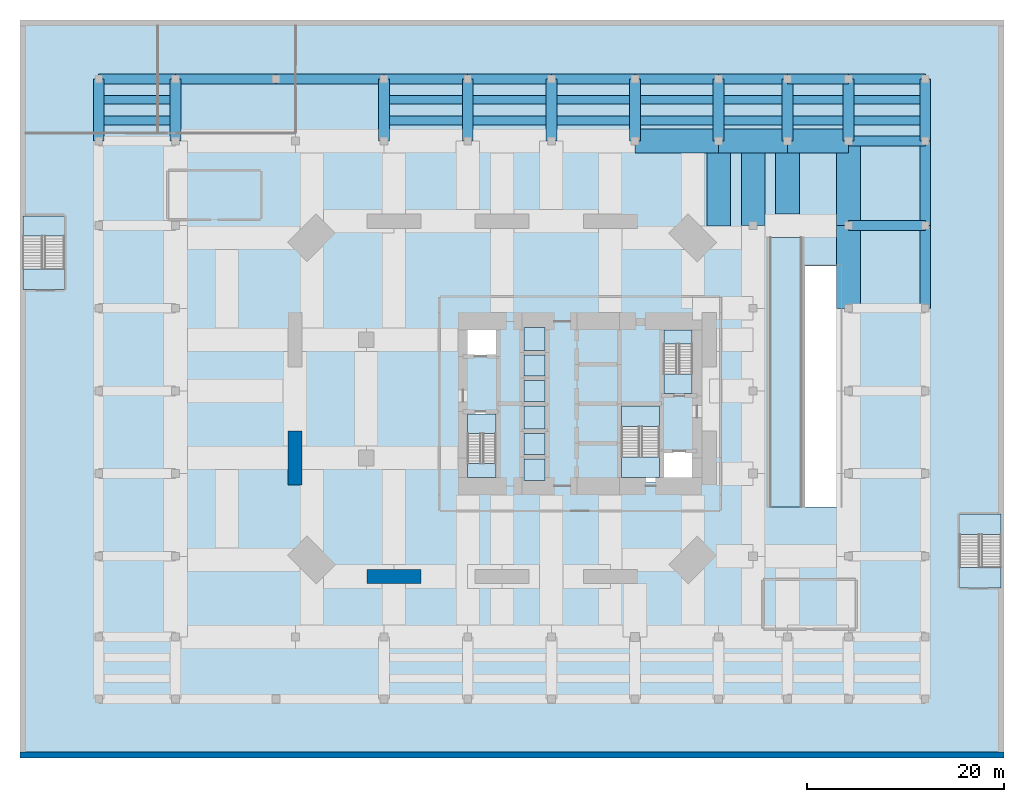
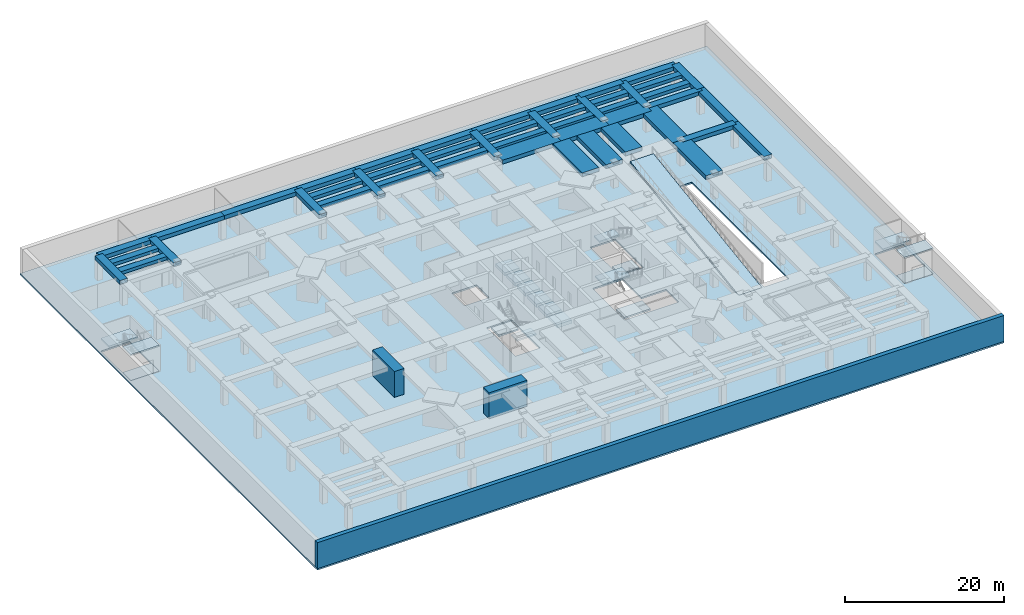
# One storey, part 3 of 10: 48 beams, 20 slabs, 3 walls, 5 elements without a shape of their own.
"""IFC4 building model written with IfcOpenShell, lengths in metres."""

import ifcopenshell
import ifcopenshell.guid

model = None  # the IFC model being written
_history = None  # IfcOwnerHistory: only IFC2X3 demands one
_inside = {}  # id of a spatial element -> (the spatial element, [elements in it])
_under = {}  # id of a project, library or spatial element -> (it, [spatial elements below it])
_declared = {}  # id of a project -> (the project, [libraries it declares])
_typed = {}  # id of a type object -> (the type object, [elements of that type])
_made_of = {}  # id of a material, layer set ... -> (it, [elements and type objects made of it])


def new_model(schema):
    """Start an empty IFC model of exactly this schema.

    Asked for "IFC4X3", IfcOpenShell would pick the latest addendum, in which some entities
    have other attributes; the version numbers below select the first issue.
    IFC2X3 requires an IfcOwnerHistory on every rooted entity: one is made here for all.
    """
    global model, _history
    if schema == "IFC4X3":
        model = ifcopenshell.file(schema_version=(4, 3, 0, 0))
    else:
        model = ifcopenshell.file(schema=schema)
    _inside.clear()
    _under.clear()
    _declared.clear()
    _typed.clear()
    _made_of.clear()
    _history = None
    if model.schema == "IFC2X3":
        org = make("IfcOrganization", Name="unknown")
        user = make(
            "IfcPersonAndOrganization",
            ThePerson=make("IfcPerson", FamilyName="unknown"),
            TheOrganization=org,
        )
        app = make(
            "IfcApplication",
            ApplicationDeveloper=org,
            Version="unknown",
            ApplicationFullName="unknown",
            ApplicationIdentifier="unknown",
        )
        _history = make(
            "IfcOwnerHistory",
            OwningUser=user,
            OwningApplication=app,
            ChangeAction="ADDED",
            CreationDate=0,
        )
    return model


def make(cls, **values):
    """One entity of the class cls with the attributes given. An attribute that is None is left unset."""
    return model.create_entity(
        cls, **{name: value for name, value in values.items() if value is not None}
    )


def rooted(cls, **values):
    """An entity with a GlobalId (a new one), such as an element, a storey or a relation."""
    return make(cls, GlobalId=ifcopenshell.guid.new(), OwnerHistory=_history, **values)


def si_unit(unit_type, name, prefix=None):
    """IfcSIUnit, for example si_unit("LENGTHUNIT", "METRE", prefix="MILLI")."""
    return make("IfcSIUnit", UnitType=unit_type, Prefix=prefix, Name=name)


def assignment(units):
    """IfcUnitAssignment: the units of a project."""
    return None if units is None else make("IfcUnitAssignment", Units=units)


def point(xyz):
    """IfcCartesianPoint."""
    return None if xyz is None else make("IfcCartesianPoint", Coordinates=xyz)


def direction(xyz):
    """IfcDirection."""
    return None if xyz is None else make("IfcDirection", DirectionRatios=xyz)


def frame(location, z_axis=None, x_axis=None):
    """IfcAxis2Placement3D, a coordinate frame: its origin and axes. An axis left out is left unset."""
    return make(
        "IfcAxis2Placement3D",
        Location=point(location),
        Axis=direction(z_axis),
        RefDirection=direction(x_axis),
    )


def frame_2d(location, x_axis=None):
    """IfcAxis2Placement2D, a coordinate frame in the plane: its origin and x axis."""
    return make(
        "IfcAxis2Placement2D", Location=point(location), RefDirection=direction(x_axis)
    )


def origin():
    """The frame at (0, 0, 0) with its axes left unset."""
    return frame((0.0, 0.0, 0.0))


def origin_2d():
    """The frame at (0, 0) in the plane with its x axis left unset."""
    return frame_2d((0.0, 0.0))


def place(relative_to, where):
    """IfcLocalPlacement: puts the frame where relative to a parent placement (None: the world)."""
    return make(
        "IfcLocalPlacement", PlacementRelTo=relative_to, RelativePlacement=where
    )


def context(
    kind, dimensions, precision=None, world=None, true_north=None, identifier=None
):
    """IfcGeometricRepresentationContext, for example the 3D "Model" context."""
    return make(
        "IfcGeometricRepresentationContext",
        ContextIdentifier=identifier,
        ContextType=kind,
        CoordinateSpaceDimension=dimensions,
        Precision=precision,
        WorldCoordinateSystem=world,
        TrueNorth=true_north,
    )


def subcontext(parent, identifier, kind, view, scale=None):
    """IfcGeometricRepresentationSubContext, for example "Body" below "Model"."""
    return make(
        "IfcGeometricRepresentationSubContext",
        ContextIdentifier=identifier,
        ContextType=kind,
        ParentContext=parent,
        TargetScale=scale,
        TargetView=view,
    )


def project(units=None, contexts=None):
    """IfcProject with its units and contexts."""
    return rooted(
        "IfcProject",
        Name="project",
        RepresentationContexts=contexts,
        UnitsInContext=assignment(units),
    )


def spatial(cls, under=None, at=None, **own):
    """A site, building, storey or space (cls), placed at a placement, below another one or the project."""
    s = rooted(cls, ObjectPlacement=at, **own)
    if under is not None:
        _under.setdefault(under.id(), (under, []))[1].append(s)
    return s


def polyline(points):
    """IfcPolyline through the points."""
    return make("IfcPolyline", Points=[point(p) for p in points])


def profile(cls, at=None, kind="AREA", **sizes):
    """A parametric profile (cls). Its sizes go by their IFC names, for example OverallWidth=200.0."""
    return make(cls, ProfileType=kind, Position=at, **sizes)


def rectangle(**sizes):
    """IfcRectangleProfileDef."""
    return profile("IfcRectangleProfileDef", **sizes)


def outline(outer, holes=None, kind="AREA"):
    """IfcArbitraryClosedProfileDef: a profile drawn as a closed curve; with holes, ...WithVoids."""
    if holes is None:
        return make("IfcArbitraryClosedProfileDef", ProfileType=kind, OuterCurve=outer)
    return make(
        "IfcArbitraryProfileDefWithVoids",
        ProfileType=kind,
        OuterCurve=outer,
        InnerCurves=holes,
    )


def extrude(swept, where, along, depth):
    """IfcExtrudedAreaSolid: the profile swept, set in the frame where, extruded along a direction by depth."""
    return make(
        "IfcExtrudedAreaSolid",
        SweptArea=swept,
        Position=where,
        ExtrudedDirection=direction(along),
        Depth=depth,
    )


def faces_of(points, faces, orient=None, outer=None):
    """IfcFace entities. A face is a list of loops; a loop is a list of indices into points, from 0.

    orient and outer hold one flag for each loop. By default every Orientation is true, the
    first loop of a face is its IfcFaceOuterBound and the others are IfcFaceBound.
    """
    made = []
    for i, loops in enumerate(faces):
        bounds = []
        for j, loop in enumerate(loops):
            is_outer = j == 0 if outer is None else outer[i][j]
            bounds.append(
                make(
                    "IfcFaceOuterBound" if is_outer else "IfcFaceBound",
                    Bound=make("IfcPolyLoop", Polygon=[points[k] for k in loop]),
                    Orientation=True if orient is None else orient[i][j],
                )
            )
        made.append(make("IfcFace", Bounds=bounds))
    return made


def faceted_brep(points, faces, orient=None, outer=None, voids=None):
    """IfcFacetedBrep: a solid bounded by flat faces; with voids (closed shells), ...WithVoids."""
    shared = [point(p) for p in points]
    hull = make("IfcClosedShell", CfsFaces=faces_of(shared, faces, orient, outer))
    if voids is None:
        return make("IfcFacetedBrep", Outer=hull)
    return make(
        "IfcFacetedBrepWithVoids",
        Outer=hull,
        Voids=[
            make(cls, CfsFaces=faces_of(shared, fs, o, b)) for cls, fs, o, b in voids
        ],
    )


def shape(context_of_items, identifier, shape_type, items):
    """IfcShapeRepresentation: the items that make up one representation, for example the "Body"."""
    return make(
        "IfcShapeRepresentation",
        ContextOfItems=context_of_items,
        RepresentationIdentifier=identifier,
        RepresentationType=shape_type,
        Items=items,
    )


def material(Name=None, Category=None):
    """IfcMaterial."""
    return make("IfcMaterial", Name=Name, Category=Category)


def layer(
    of_material, thickness, ventilated=None, Name=None, Category=None, Priority=None
):
    """IfcMaterialLayer: one layer of a wall or slab, of a material (None: an air gap)."""
    return make(
        "IfcMaterialLayer",
        Material=of_material,
        LayerThickness=thickness,
        IsVentilated=ventilated,
        Name=Name,
        Category=Category,
        Priority=Priority,
    )


def layer_set(layers, Name=None):
    """IfcMaterialLayerSet."""
    return make("IfcMaterialLayerSet", MaterialLayers=layers, LayerSetName=Name)


def material_profile(
    of_material, cross_section, Name=None, Category=None, Priority=None
):
    """IfcMaterialProfile: a cross section and its material."""
    return make(
        "IfcMaterialProfile",
        Name=Name,
        Material=of_material,
        Profile=cross_section,
        Priority=Priority,
        Category=Category,
    )


def profile_set(profiles, Name=None, composite=None):
    """IfcMaterialProfileSet."""
    return make(
        "IfcMaterialProfileSet",
        Name=Name,
        MaterialProfiles=profiles,
        CompositeProfile=composite,
    )


def made_of(thing, what):
    """Note that an element or type object is made of a material, layer set ...; save() writes the relation."""
    if what is not None:
        _made_of.setdefault(what.id(), (what, []))[1].append(thing)
    return thing


def type_object(cls, material=None, **own):
    """A type object (cls), such as IfcWallType, which elements share."""
    return made_of(rooted(cls, **own), material)


def element(
    cls,
    number,
    at=None,
    inside=None,
    cuts=None,
    type_object=None,
    material=None,
    context=None,
    identifier="Body",
    shape_type=None,
    held_by="IfcProductDefinitionShape",
    body=None,
    shapes=None,
    **own,
):
    """One element of the class cls, such as IfcWall. Its Tag is "e" and its number.

    at: its placement. inside: the storey or other place that contains it. cuts: it is an
    opening in that element (IfcRelVoidsElement). A single representation is given by context,
    identifier, shape_type and body (its items); several are given by shapes. held_by: the class
    of the entity that holds the representations. save() writes the other relations.
    """
    e = rooted(cls, Tag="e%d" % number, ObjectPlacement=at, **own)
    if body is not None:
        shapes = [shape(context, identifier, shape_type, body)]
    if shapes is not None:
        e.Representation = make(held_by, Representations=shapes)
    if inside is not None:
        _inside.setdefault(inside.id(), (inside, []))[1].append(e)
    if cuts is not None:
        rooted(
            "IfcRelVoidsElement", RelatingBuildingElement=cuts, RelatedOpeningElement=e
        )
    if type_object is not None:
        _typed.setdefault(type_object.id(), (type_object, []))[1].append(e)
    return made_of(e, material)


def aggregate(whole, parts):
    """IfcRelAggregates: a whole, such as a stair, and the parts it consists of."""
    return rooted("IfcRelAggregates", RelatingObject=whole, RelatedObjects=parts)


def save(model, path):
    """Write the relations noted so far, then the file.

    IfcRelAggregates (storeys below a building ...), IfcRelContainedInSpatialStructure (elements
    in a storey), IfcRelDefinesByType, IfcRelAssociatesMaterial and IfcRelDeclares: one each for
    every whole, place, type object, material and project.
    """
    for whole, parts in _under.values():
        aggregate(whole, parts)
    for where, things in _inside.values():
        rooted(
            "IfcRelContainedInSpatialStructure",
            RelatedElements=things,
            RelatingStructure=where,
        )
    for kind, things in _typed.values():
        rooted("IfcRelDefinesByType", RelatedObjects=things, RelatingType=kind)
    for what, things in _made_of.values():
        rooted("IfcRelAssociatesMaterial", RelatedObjects=things, RelatingMaterial=what)
    for by, libraries in _declared.values():
        rooted("IfcRelDeclares", RelatingContext=by, RelatedDefinitions=libraries)
    model.write(path)


model = new_model("IFC4")

# Units and contexts
model_context = context("Model", 3, precision=1e-05, world=origin(), true_north=direction((0.0, 1.0)))
body_context = subcontext(model_context, "Body", "Model", "MODEL_VIEW")
ifc_project = project(units=[si_unit("LENGTHUNIT", "METRE"), si_unit("AREAUNIT", "SQUARE_METRE"), si_unit("VOLUMEUNIT", "CUBIC_METRE"), si_unit("PLANEANGLEUNIT", "RADIAN"), si_unit("MASSUNIT", "GRAM", prefix="KILO")], contexts=[model_context])

# Site, building, storey
site_placement = place(None, origin())
site = spatial("IfcSite", under=ifc_project, at=site_placement, CompositionType="ELEMENT")
building_placement = place(site_placement, origin())
building = spatial("IfcBuilding", under=site, at=building_placement, Name="Jalousie Tower", CompositionType="ELEMENT")
storey_placement = place(building_placement, frame((0.0, 0.0, -4.0)))
storey = spatial("IfcBuildingStorey", under=building, at=storey_placement, Name="B1", CompositionType="ELEMENT", Elevation=-4.0)

# Beams
ifc_material_1 = material(Name="Concrete f'c 40 MPa", Category="concrete")
ifc_material_profile_1 = material_profile(ifc_material_1, rectangle(XDim=1.0, YDim=0.60009765625, at=origin_2d()), Name="RC 1000x600")
ifc_profile_set_1 = profile_set([ifc_material_profile_1], Name="Concrete f'c 40 MPa")
beam_type_1 = type_object("IfcBeamType", Name="RC BEAM 1000x600", PredefinedType="BEAM", material=ifc_profile_set_1)
beam_1_placement = place(storey_placement, frame((-17.0, 51.5, 3.419921875), z_axis=(1.0, 0.0, 0.0), x_axis=(0.0, 1.0, 0.0)))
element("IfcBeam", 1, at=beam_1_placement, inside=storey, type_object=beam_type_1, Name="Girder under L00 1-9 east-west", PredefinedType="BEAM", context=body_context, shape_type="SweptSolid", body=[
    extrude(rectangle(XDim=1.0, YDim=0.60009765625, at=origin_2d()), origin(), (0.0, 0.0, 1.0), 7.800048828125),
])
beam_2_placement = place(storey_placement, frame((-9.199951171875, 51.5, 3.419921875), z_axis=(1.0, 0.0, 0.0), x_axis=(0.0, 1.0, 0.0)))
element("IfcBeam", 2, at=beam_2_placement, inside=storey, type_object=beam_type_1, Name="Girder under L00 2-9 east-west", PredefinedType="BEAM", context=body_context, shape_type="SweptSolid", body=[
    extrude(rectangle(XDim=1.0, YDim=0.60009765625, at=origin_2d()), origin(), (0.0, 0.0, 1.0), 10.199951171875),
])
beam_3_placement = place(storey_placement, frame((1.0, 51.5, 3.419921875), z_axis=(1.0, 0.0, 0.0), x_axis=(0.0, 1.0, 0.0)))
element("IfcBeam", 3, at=beam_3_placement, inside=storey, type_object=beam_type_1, Name="Girder under L00 3-9 east-west", PredefinedType="BEAM", context=body_context, shape_type="SweptSolid", body=[
    extrude(rectangle(XDim=1.0, YDim=0.60009765625, at=origin_2d()), origin(), (0.0, 0.0, 1.0), 11.0),
])
for number, where, z_axis, x_axis, name in (
    (4, (12.0, 51.5, 3.419921875), (1.0, 0.0, 0.0), (0.0, 1.0, 0.0), "Girder under L00 4-9 east-west"),
    (5, (20.5, 51.5, 3.419921875), (1.0, 0.0, 0.0), (0.0, 1.0, 0.0), "Girder under L00 5-9 east-west"),
    (6, (29.0, 51.5, 3.419921875), (1.0, 0.0, 0.0), (0.0, 1.0, 0.0), "Girder under L00 6-9 east-west"),
    (7, (37.5, 51.5, 3.419921875), (1.0, 0.0, 0.0), (0.0, 1.0, 0.0), "Girder under L00 7-9 east-west"),
):
    element("IfcBeam", number, at=place(storey_placement, frame(where, z_axis=z_axis, x_axis=x_axis)), inside=storey, type_object=beam_type_1, Name=name, PredefinedType="BEAM", context=body_context, shape_type="SweptSolid", body=[
        extrude(rectangle(XDim=1.0, YDim=0.60009765625, at=origin_2d()), origin(), (0.0, 0.0, 1.0), 8.5),
    ])
beam_4_placement = place(storey_placement, frame((46.0, 51.5, 3.419921875), z_axis=(1.0, 0.0, 0.0), x_axis=(0.0, 1.0, 0.0)))
element("IfcBeam", 8, at=beam_4_placement, inside=storey, type_object=beam_type_1, Name="Girder under L00 8-9 east-west", PredefinedType="BEAM", context=body_context, shape_type="SweptSolid", body=[
    extrude(rectangle(XDim=1.0, YDim=0.60009765625, at=origin_2d()), origin(), (0.0, 0.0, 1.0), 7.0),
])
beam_5_placement = place(storey_placement, frame((53.0, 51.5, 3.419921875), z_axis=(1.0, 0.0, 0.0), x_axis=(0.0, 1.0, 0.0)))
element("IfcBeam", 9, at=beam_5_placement, inside=storey, type_object=beam_type_1, Name="Girder under L00 9-9 east-west", PredefinedType="BEAM", context=body_context, shape_type="SweptSolid", body=[
    extrude(rectangle(XDim=1.0, YDim=0.60009765625, at=origin_2d()), origin(), (0.0, 0.0, 1.0), 6.199951171875),
])
for number, where, z_axis, x_axis, name in (
    (10, (59.199951171875, 36.60009765625, 3.419921875), (1.0, 0.0, 0.0), (0.0, 1.0, 0.0), "Girder under L00 10-7 east-west"),
    (11, (59.199951171875, 45.199951171875, 3.419921875), (1.0, 0.0, 0.0), (0.0, 1.0, 0.0), "Girder under L00 10-8 east-west"),
    (12, (59.199951171875, 51.5, 3.419921875), (1.0, 0.0, 0.0), (0.0, 1.0, 0.0), "Girder under L00 10-9 east-west"),
):
    element("IfcBeam", number, at=place(storey_placement, frame(where, z_axis=z_axis, x_axis=x_axis)), inside=storey, type_object=beam_type_1, Name=name, PredefinedType="BEAM", context=body_context, shape_type="SweptSolid", body=[
        extrude(rectangle(XDim=1.0, YDim=0.60009765625, at=origin_2d()), origin(), (0.0, 0.0, 1.0), 7.800048828125),
    ])
ifc_material_2 = material(Name="Concrete f'c 40 MPa", Category="concrete")
ifc_material_profile_2 = material_profile(ifc_material_2, rectangle(XDim=1.10009765625, YDim=0.60009765625, at=origin_2d()), Name="RC 1100x600")
ifc_profile_set_2 = profile_set([ifc_material_profile_2], Name="Concrete f'c 40 MPa")
beam_type_2 = type_object("IfcBeamType", Name="RC BEAM 1100x600", PredefinedType="BEAM", material=ifc_profile_set_2)
for number, where, z_axis, x_axis, name in (
    (13, (-17.0, 45.199951171875, 3.419921875), (0.0, 1.0, 0.0), (-1.0, 0.0, 0.0), "Girder under L00 1-8 north-south"),
    (14, (-9.199951171875, 45.199951171875, 3.419921875), (0.0, 1.0, 0.0), (-1.0, 0.0, 0.0), "Girder under L00 2-8 north-south"),
    (15, (12.0, 45.199951171875, 3.419921875), (0.0, 1.0, 0.0), (-1.0, 0.0, 0.0), "Girder under L00 4-8 north-south"),
    (16, (20.5, 45.199951171875, 3.419921875), (0.0, 1.0, 0.0), (-1.0, 0.0, 0.0), "Girder under L00 5-8 north-south"),
    (17, (29.0, 45.199951171875, 3.419921875), (0.0, 1.0, 0.0), (-1.0, 0.0, 0.0), "Girder under L00 6-8 north-south"),
    (18, (37.5, 45.199951171875, 3.419921875), (0.0, 1.0, 0.0), (-1.0, 0.0, 0.0), "Girder under L00 7-8 north-south"),
    (19, (46.0, 45.199951171875, 3.419921875), (0.0, 1.0, 0.0), (-1.0, 0.0, 0.0), "Girder under L00 8-8 north-south"),
    (20, (53.0, 45.199951171875, 3.419921875), (0.0, 1.0, 0.0), (-1.0, 0.0, 0.0), "Girder under L00 9-8 north-south"),
    (21, (59.199951171875, 45.199951171875, 3.419921875), (0.0, 1.0, 0.0), (-1.0, 0.0, 0.0), "Girder under L00 10-8 north-south"),
):
    element("IfcBeam", number, at=place(storey_placement, frame(where, z_axis=z_axis, x_axis=x_axis)), inside=storey, type_object=beam_type_2, Name=name, PredefinedType="BEAM", context=body_context, shape_type="SweptSolid", body=[
        extrude(rectangle(XDim=1.10009765625, YDim=0.60009765625, at=origin_2d()), origin(), (0.0, 0.0, 1.0), 6.300048828125),
    ])
beam_6_placement = place(storey_placement, frame((67.0, 28.199951171875, 3.419921875), z_axis=(0.0, 1.0, 0.0), x_axis=(-1.0, 0.0, 0.0)))
element("IfcBeam", 22, at=beam_6_placement, inside=storey, type_object=beam_type_2, Name="Girder under L00 11-6 north-south", PredefinedType="BEAM", context=body_context, shape_type="SweptSolid", body=[
    extrude(rectangle(XDim=1.10009765625, YDim=0.60009765625, at=origin_2d()), origin(), (0.0, 0.0, 1.0), 8.400146484375),
])
beam_7_placement = place(storey_placement, frame((67.0, 36.60009765625, 3.419921875), z_axis=(0.0, 1.0, 0.0), x_axis=(-1.0, 0.0, 0.0)))
element("IfcBeam", 23, at=beam_7_placement, inside=storey, type_object=beam_type_2, Name="Girder under L00 11-7 north-south", PredefinedType="BEAM", context=body_context, shape_type="SweptSolid", body=[
    extrude(rectangle(XDim=1.10009765625, YDim=0.60009765625, at=origin_2d()), origin(), (0.0, 0.0, 1.0), 8.599853515625),
])
beam_8_placement = place(storey_placement, frame((67.0, 45.199951171875, 3.419921875), z_axis=(0.0, 1.0, 0.0), x_axis=(-1.0, 0.0, 0.0)))
element("IfcBeam", 24, at=beam_8_placement, inside=storey, type_object=beam_type_2, Name="Girder under L00 11-8 north-south", PredefinedType="BEAM", context=body_context, shape_type="SweptSolid", body=[
    extrude(rectangle(XDim=1.10009765625, YDim=0.60009765625, at=origin_2d()), origin(), (0.0, 0.0, 1.0), 6.300048828125),
])
ifc_material_3 = material(Name="Concrete f'c 40 MPa", Category="concrete")
ifc_material_profile_3 = material_profile(ifc_material_3, rectangle(XDim=2.39990234375, YDim=0.60009765625, at=origin_2d()), Name="RC 2400x600")
ifc_profile_set_3 = profile_set([ifc_material_profile_3], Name="Concrete f'c 40 MPa")
beam_type_3 = type_object("IfcBeamType", Name="RC BEAM 2400x600", PredefinedType="BEAM", material=ifc_profile_set_3)
beam_9_placement = place(storey_placement, frame((37.5, 45.199951171875, 3.419921875), z_axis=(1.0, 0.0, 0.0), x_axis=(0.0, 1.0, 0.0)))
element("IfcBeam", 25, at=beam_9_placement, inside=storey, type_object=beam_type_3, Name="Floor band beam under L00", PredefinedType="BEAM", context=body_context, shape_type="SweptSolid", body=[
    extrude(rectangle(XDim=2.39990234375, YDim=0.60009765625, at=origin_2d()), origin(), (0.0, 0.0, 1.0), 8.5),
])
beam_10_placement = place(storey_placement, frame((46.0, 45.199951171875, 3.419921875), z_axis=(1.0, 0.0, 0.0), x_axis=(0.0, 1.0, 0.0)))
element("IfcBeam", 26, at=beam_10_placement, inside=storey, type_object=beam_type_3, Name="Floor band beam under L00", PredefinedType="BEAM", context=body_context, shape_type="SweptSolid", body=[
    extrude(rectangle(XDim=2.39990234375, YDim=0.60009765625, at=origin_2d()), origin(), (0.0, 0.0, 1.0), 7.0),
])
beam_11_placement = place(storey_placement, frame((53.0, 45.199951171875, 3.419921875), z_axis=(1.0, 0.0, 0.0), x_axis=(0.0, 1.0, 0.0)))
element("IfcBeam", 27, at=beam_11_placement, inside=storey, type_object=beam_type_3, Name="Floor band beam under L00", PredefinedType="BEAM", context=body_context, shape_type="SweptSolid", body=[
    extrude(rectangle(XDim=2.39990234375, YDim=0.60009765625, at=origin_2d()), origin(), (0.0, 0.0, 1.0), 6.199951171875),
])
beam_12_placement = place(storey_placement, frame((59.199951171875, 28.199951171875, 3.419921875), z_axis=(0.0, 1.0, 0.0), x_axis=(-1.0, 0.0, 0.0)))
element("IfcBeam", 28, at=beam_12_placement, inside=storey, type_object=beam_type_3, Name="Floor band beam under L00", PredefinedType="BEAM", context=body_context, shape_type="SweptSolid", body=[
    extrude(rectangle(XDim=2.39990234375, YDim=0.60009765625, at=origin_2d()), origin(), (0.0, 0.0, 1.0), 8.400146484375),
])
beam_13_placement = place(storey_placement, frame((59.199951171875, 36.60009765625, 3.419921875), z_axis=(0.0, 1.0, 0.0), x_axis=(-1.0, 0.0, 0.0)))
element("IfcBeam", 29, at=beam_13_placement, inside=storey, type_object=beam_type_3, Name="Floor band beam under L00", PredefinedType="BEAM", context=body_context, shape_type="SweptSolid", body=[
    extrude(rectangle(XDim=2.39990234375, YDim=0.60009765625, at=origin_2d()), origin(), (0.0, 0.0, 1.0), 8.599853515625),
])
beam_14_placement = place(storey_placement, frame((46.0, 45.199951171875, 3.419921875), z_axis=(0.0, -1.0, 0.0), x_axis=(1.0, 0.0, 0.0)))
element("IfcBeam", 30, at=beam_14_placement, inside=storey, type_object=beam_type_3, Name="Floor band beam under L00", PredefinedType="BEAM", context=body_context, shape_type="SweptSolid", body=[
    extrude(rectangle(XDim=2.39990234375, YDim=0.60009765625, at=origin_2d()), origin(), (0.0, 0.0, 1.0), 8.63134765625),
])
for number, where, z_axis, x_axis, name in (
    (31, (49.5, 36.60009765625, 3.419921875), (0.0, 1.0, 0.0), (-1.0, 0.0, 0.0), "Floor band beam under L00"),
    (32, (53.0, 45.199951171875, 3.419921875), (0.0, -1.0, 0.0), (1.0, 0.0, 0.0), "Floor band beam under L00"),
):
    element("IfcBeam", number, at=place(storey_placement, frame(where, z_axis=z_axis, x_axis=x_axis)), inside=storey, type_object=beam_type_3, Name=name, PredefinedType="BEAM", context=body_context, shape_type="SweptSolid", body=[
        extrude(rectangle(XDim=2.39990234375, YDim=0.60009765625, at=origin_2d()), origin(), (0.0, 0.0, 1.0), 7.39990234375),
    ])
ifc_material_4 = material(Name="Concrete f'c 40 MPa", Category="concrete")
ifc_material_profile_4 = material_profile(ifc_material_4, rectangle(XDim=0.89990234375, YDim=0.5, at=origin_2d()), Name="RC 900x500")
ifc_profile_set_4 = profile_set([ifc_material_profile_4], Name="Concrete f'c 40 MPa")
beam_type_4 = type_object("IfcBeamType", Name="RC BEAM 900x500", PredefinedType="BEAM", material=ifc_profile_set_4)
for number, where, z_axis, x_axis, name in (
    (33, (-16.449951171875, 47.300048828125, 3.469970703125), (1.0, 0.0, 0.0), (0.0, 1.0, 0.0), "Secondary beam 1 under L00 bay 1-8"),
    (34, (-16.449951171875, 49.39990234375, 3.469970703125), (1.0, 0.0, 0.0), (0.0, 1.0, 0.0), "Secondary beam 2 under L00 bay 1-8"),
):
    element("IfcBeam", number, at=place(storey_placement, frame(where, z_axis=z_axis, x_axis=x_axis)), inside=storey, type_object=beam_type_4, Name=name, PredefinedType="BEAM", context=body_context, shape_type="SweptSolid", body=[
        extrude(rectangle(XDim=0.89990234375, YDim=0.5, at=origin_2d()), origin(), (0.0, 0.0, 1.0), 6.699951171875),
    ])
for number, where, z_axis, x_axis, name in (
    (35, (12.550048828125, 47.300048828125, 3.469970703125), (1.0, 0.0, 0.0), (0.0, 1.0, 0.0), "Secondary beam 1 under L00 bay 4-8"),
    (36, (12.550048828125, 49.39990234375, 3.469970703125), (1.0, 0.0, 0.0), (0.0, 1.0, 0.0), "Secondary beam 2 under L00 bay 4-8"),
    (37, (21.050048828125, 47.300048828125, 3.469970703125), (1.0, 0.0, 0.0), (0.0, 1.0, 0.0), "Secondary beam 1 under L00 bay 5-8"),
    (38, (21.050048828125, 49.39990234375, 3.469970703125), (1.0, 0.0, 0.0), (0.0, 1.0, 0.0), "Secondary beam 2 under L00 bay 5-8"),
    (39, (29.550048828125, 47.300048828125, 3.469970703125), (1.0, 0.0, 0.0), (0.0, 1.0, 0.0), "Secondary beam 1 under L00 bay 6-8"),
    (40, (29.550048828125, 49.39990234375, 3.469970703125), (1.0, 0.0, 0.0), (0.0, 1.0, 0.0), "Secondary beam 2 under L00 bay 6-8"),
    (41, (38.050048828125, 47.300048828125, 3.469970703125), (1.0, 0.0, 0.0), (0.0, 1.0, 0.0), "Secondary beam 1 under L00 bay 7-8"),
    (42, (38.050048828125, 49.39990234375, 3.469970703125), (1.0, 0.0, 0.0), (0.0, 1.0, 0.0), "Secondary beam 2 under L00 bay 7-8"),
):
    element("IfcBeam", number, at=place(storey_placement, frame(where, z_axis=z_axis, x_axis=x_axis)), inside=storey, type_object=beam_type_4, Name=name, PredefinedType="BEAM", context=body_context, shape_type="SweptSolid", body=[
        extrude(rectangle(XDim=0.89990234375, YDim=0.5, at=origin_2d()), origin(), (0.0, 0.0, 1.0), 7.39990234375),
    ])
for number, where, z_axis, x_axis, name in (
    (43, (46.550048828125, 47.300048828125, 3.469970703125), (1.0, 0.0, 0.0), (0.0, 1.0, 0.0), "Secondary beam 1 under L00 bay 8-8"),
    (44, (46.550048828125, 49.39990234375, 3.469970703125), (1.0, 0.0, 0.0), (0.0, 1.0, 0.0), "Secondary beam 2 under L00 bay 8-8"),
):
    element("IfcBeam", number, at=place(storey_placement, frame(where, z_axis=z_axis, x_axis=x_axis)), inside=storey, type_object=beam_type_4, Name=name, PredefinedType="BEAM", context=body_context, shape_type="SweptSolid", body=[
        extrude(rectangle(XDim=0.89990234375, YDim=0.5, at=origin_2d()), origin(), (0.0, 0.0, 1.0), 5.89990234375),
    ])
for number, where, z_axis, x_axis, name in (
    (45, (53.550048828125, 47.300048828125, 3.469970703125), (1.0, 0.0, 0.0), (0.0, 1.0, 0.0), "Secondary beam 1 under L00 bay 9-8"),
    (46, (53.550048828125, 49.39990234375, 3.469970703125), (1.0, 0.0, 0.0), (0.0, 1.0, 0.0), "Secondary beam 2 under L00 bay 9-8"),
):
    element("IfcBeam", number, at=place(storey_placement, frame(where, z_axis=z_axis, x_axis=x_axis)), inside=storey, type_object=beam_type_4, Name=name, PredefinedType="BEAM", context=body_context, shape_type="SweptSolid", body=[
        extrude(rectangle(XDim=0.89990234375, YDim=0.5, at=origin_2d()), origin(), (0.0, 0.0, 1.0), 5.099853515625),
    ])
for number, where, z_axis, x_axis, name in (
    (47, (59.75, 47.300048828125, 3.469970703125), (1.0, 0.0, 0.0), (0.0, 1.0, 0.0), "Secondary beam 1 under L00 bay 10-8"),
    (48, (59.75, 49.39990234375, 3.469970703125), (1.0, 0.0, 0.0), (0.0, 1.0, 0.0), "Secondary beam 2 under L00 bay 10-8"),
):
    element("IfcBeam", number, at=place(storey_placement, frame(where, z_axis=z_axis, x_axis=x_axis)), inside=storey, type_object=beam_type_4, Name=name, PredefinedType="BEAM", context=body_context, shape_type="SweptSolid", body=[
        extrude(rectangle(XDim=0.89990234375, YDim=0.5, at=origin_2d()), origin(), (0.0, 0.0, 1.0), 6.699951171875),
    ])

# Slabs
ifc_material_5 = material(Name="Concrete f'c 40 MPa", Category="concrete")
ifc_layer_1 = layer(ifc_material_5, 0.280029296875)
ifc_layer_set_1 = layer_set([ifc_layer_1], Name="Concrete f'c 40 MPa")
slab_type_1 = type_object("IfcSlabType", Name="CAR RAMP SLAB 280", PredefinedType="USERDEFINED", material=ifc_layer_set_1)
slab_1_placement = place(storey_placement, frame((52.800048828125, 8.0, 0.0), z_axis=(0.0, 0.0, 1.0), x_axis=(0.0, 1.0, 0.0)))
element("IfcSlab", 49, at=slab_1_placement, inside=storey, type_object=slab_type_1, material=ifc_layer_set_1, Name="Car ramp 1 slab", ObjectType="VEHICLE RAMP", PredefinedType="USERDEFINED", context=body_context, shape_type="Brep", body=[
    faceted_brep([(0.0, 1.699951171875, 0.0), (27.39990234375, 1.699951171875, 4.0), (27.39990234375, 1.699951171875, 3.717041015625), (0.0, -1.699951171875, 0.0), (27.39990234375, -1.699951171875, 3.717041015625), (27.39990234375, -1.699951171875, 4.0), (1.938232421875, 1.699951171875, 0.0), (1.938232421875, -1.699951171875, 0.0)], [[[0, 1, 2]], [[3, 4, 5]], [[0, 2, 6]], [[3, 7, 4]], [[0, 5, 1]], [[0, 3, 5]], [[1, 4, 2]], [[1, 5, 4]], [[2, 7, 6]], [[2, 4, 7]], [[6, 3, 0]], [[6, 7, 3]]]),
])
ifc_material_6 = material(Name="Concrete f'c 40 MPa", Category="concrete")
ifc_layer_2 = layer(ifc_material_6, 0.239990234375)
ifc_layer_set_2 = layer_set([ifc_layer_2], Name="Concrete f'c 40 MPa")
slab_type_2 = type_object("IfcSlabType", Name="FLOOR SLAB 240", PredefinedType="FLOOR", material=ifc_layer_set_2)
slab_2_placement = place(storey_placement, frame((0.0, 0.0, -0.239990234375)))
element("IfcSlab", 50, at=slab_2_placement, inside=storey, type_object=slab_type_2, Name="B1 floor slab", PredefinedType="FLOOR", context=body_context, shape_type="SweptSolid", body=[
    extrude(outline(polyline([(-25.0, -17.5), (75.0, -17.5), (75.0, 57.5), (-25.0, 57.5), (-25.0, -17.5)]), holes=[polyline([(70.5, -0.199951171875), (74.699951171875, -0.199951171875), (74.699951171875, 7.300048828125), (70.5, 7.300048828125), (70.5, -0.199951171875)]), polyline([(43.800048828125, 10.5), (35.89990234375, 10.5), (35.89990234375, 18.5), (40.199951171875, 18.5), (40.199951171875, 13.699951171875), (43.800048828125, 13.699951171875), (43.800048828125, 10.5)]), polyline([(20.0, 10.5), (23.60009765625, 10.5), (23.60009765625, 17.699951171875), (20.0, 17.699951171875), (20.0, 10.5)]), polyline([(54.800048828125, 8.0), (58.39990234375, 8.0), (58.39990234375, 32.5), (54.800048828125, 32.5), (54.800048828125, 8.0)]), polyline([(40.199951171875, 19.300048828125), (43.800048828125, 19.300048828125), (43.800048828125, 26.5), (40.199951171875, 26.5), (40.199951171875, 19.300048828125)]), polyline([(20.0, 23.300048828125), (23.60009765625, 23.300048828125), (23.60009765625, 26.5), (20.0, 26.5), (20.0, 23.300048828125)]), polyline([(-24.699951171875, 30.10009765625), (-20.5, 30.10009765625), (-20.5, 37.60009765625), (-24.699951171875, 37.60009765625), (-24.699951171875, 30.10009765625)])]), origin(), (0.0, 0.0, 1.0), 0.239990234375),
])
ifc_material_7 = material(Name="Concrete f'c 40 MPa", Category="concrete")
ifc_layer_3 = layer(ifc_material_7, 0.5)
ifc_layer_set_3 = layer_set([ifc_layer_3], Name="Concrete f'c 40 MPa")
slab_type_3 = type_object("IfcSlabType", Name="LIFT PIT SLAB 500", PredefinedType="FLOOR", material=ifc_layer_set_3)
slab_3_placement = place(storey_placement, frame((0.0, 0.0, 2.0)))
element("IfcSlab", 51, at=slab_3_placement, inside=storey, type_object=slab_type_3, Name="Lift P1 pit slab", PredefinedType="FLOOR", context=body_context, shape_type="SweptSolid", body=[
    extrude(outline(polyline([(26.22509765625, 10.72509765625), (28.375, 10.72509765625), (28.375, 12.875), (26.22509765625, 12.875), (26.22509765625, 10.72509765625)])), origin(), (0.0, 0.0, 1.0), 0.5),
])
slab_4_placement = place(storey_placement, frame((0.0, 0.0, 2.0)))
element("IfcSlab", 52, at=slab_4_placement, inside=storey, type_object=slab_type_3, Name="Lift P2 pit slab", PredefinedType="FLOOR", context=body_context, shape_type="SweptSolid", body=[
    extrude(outline(polyline([(26.22509765625, 13.324951171875), (28.375, 13.324951171875), (28.375, 15.47509765625), (26.22509765625, 15.47509765625), (26.22509765625, 13.324951171875)])), origin(), (0.0, 0.0, 1.0), 0.5),
])
slab_5_placement = place(storey_placement, frame((0.0, 0.0, 2.0)))
element("IfcSlab", 53, at=slab_5_placement, inside=storey, type_object=slab_type_3, Name="Lift P3 pit slab", PredefinedType="FLOOR", context=body_context, shape_type="SweptSolid", body=[
    extrude(outline(polyline([(26.22509765625, 15.925048828125), (28.375, 15.925048828125), (28.375, 18.27490234375), (26.22509765625, 18.27490234375), (26.22509765625, 15.925048828125)])), origin(), (0.0, 0.0, 1.0), 0.5),
])
slab_6_placement = place(storey_placement, frame((0.0, 0.0, 2.0)))
element("IfcSlab", 54, at=slab_6_placement, inside=storey, type_object=slab_type_3, Name="Lift P4 pit slab", PredefinedType="FLOOR", context=body_context, shape_type="SweptSolid", body=[
    extrude(outline(polyline([(26.22509765625, 18.72509765625), (28.375, 18.72509765625), (28.375, 20.875), (26.22509765625, 20.875), (26.22509765625, 18.72509765625)])), origin(), (0.0, 0.0, 1.0), 0.5),
])
slab_7_placement = place(storey_placement, frame((0.0, 0.0, 2.0)))
element("IfcSlab", 55, at=slab_7_placement, inside=storey, type_object=slab_type_3, Name="Lift P5 pit slab", PredefinedType="FLOOR", context=body_context, shape_type="SweptSolid", body=[
    extrude(outline(polyline([(26.22509765625, 21.324951171875), (28.375, 21.324951171875), (28.375, 23.47509765625), (26.22509765625, 23.47509765625), (26.22509765625, 21.324951171875)])), origin(), (0.0, 0.0, 1.0), 0.5),
])
slab_8_placement = place(storey_placement, frame((0.0, 0.0, 2.0)))
element("IfcSlab", 56, at=slab_8_placement, inside=storey, type_object=slab_type_3, Name="Lift P6 pit slab", PredefinedType="FLOOR", context=body_context, shape_type="SweptSolid", body=[
    extrude(outline(polyline([(26.22509765625, 23.925048828125), (28.375, 23.925048828125), (28.375, 26.27490234375), (26.22509765625, 26.27490234375), (26.22509765625, 23.925048828125)])), origin(), (0.0, 0.0, 1.0), 0.5),
])

# Stair, slabs
ifc_material_8 = material(Name="Concrete f'c 40 MPa", Category="concrete")
stair_type_1 = type_object("IfcStairType", Name="EXIT STAIR", PredefinedType="HALF_TURN_STAIR", material=ifc_material_8)
stair_1_placement = place(storey_placement, origin())
stair_1 = element("IfcStair", 57, at=stair_1_placement, inside=storey, type_object=stair_type_1, Name="Exit stair A B1", PredefinedType="HALF_TURN_STAIR")
ifc_material_9 = material(Name="Concrete f'c 40 MPa", Category="concrete")
ifc_layer_4 = layer(ifc_material_9, 0.25)
ifc_layer_set_4 = layer_set([ifc_layer_4], Name="Concrete f'c 40 MPa")
slab_type_4 = type_object("IfcSlabType", Name="STAIR LANDING 250", PredefinedType="LANDING", material=ifc_layer_set_4)
slab_9_placement = place(storey_placement, frame((0.0, 0.0, -0.25)))
slab_9 = element("IfcSlab", 58, at=slab_9_placement, type_object=slab_type_4, Name="ST-A landing 1", PredefinedType="LANDING", context=body_context, shape_type="SweptSolid", body=[
    extrude(outline(polyline([(20.5, 15.49755859375), (23.375, 15.49755859375), (23.375, 17.47509765625), (20.5, 17.47509765625), (20.5, 15.49755859375)])), origin(), (0.0, 0.0, 1.0), 0.25),
])
slab_10_placement = place(storey_placement, frame((0.0, 0.0, 1.75)))
slab_10 = element("IfcSlab", 59, at=slab_10_placement, type_object=slab_type_4, Name="ST-A landing 2", PredefinedType="LANDING", context=body_context, shape_type="SweptSolid", body=[
    extrude(outline(polyline([(20.5, 11.0), (23.375, 11.0), (23.375, 12.41748046875), (20.5, 12.41748046875), (20.5, 11.0)])), origin(), (0.0, 0.0, 1.0), 0.25),
])
aggregate(stair_1, [slab_9, slab_10])

stair_2_placement = place(storey_placement, origin())
stair_2 = element("IfcStair", 60, at=stair_2_placement, inside=storey, type_object=stair_type_1, Name="Exit stair B B1", PredefinedType="HALF_TURN_STAIR")
slab_11_placement = place(storey_placement, frame((0.0, 0.0, -0.25)))
slab_11 = element("IfcSlab", 61, at=slab_11_placement, type_object=slab_type_4, Name="ST-B landing 1", PredefinedType="LANDING", context=body_context, shape_type="SweptSolid", body=[
    extrude(outline(polyline([(40.425048828125, 19.52490234375), (43.300048828125, 19.52490234375), (43.300048828125, 21.50244140625), (40.425048828125, 21.50244140625), (40.425048828125, 19.52490234375)])), origin(), (0.0, 0.0, 1.0), 0.25),
])
slab_12_placement = place(storey_placement, frame((0.0, 0.0, 1.75)))
slab_12 = element("IfcSlab", 62, at=slab_12_placement, type_object=slab_type_4, Name="ST-B landing 2", PredefinedType="LANDING", context=body_context, shape_type="SweptSolid", body=[
    extrude(outline(polyline([(40.425048828125, 24.58251953125), (43.300048828125, 24.58251953125), (43.300048828125, 26.0), (40.425048828125, 26.0), (40.425048828125, 24.58251953125)])), origin(), (0.0, 0.0, 1.0), 0.25),
])
aggregate(stair_2, [slab_11, slab_12])

stair_3_placement = place(storey_placement, origin())
stair_3 = element("IfcStair", 63, at=stair_3_placement, inside=storey, type_object=stair_type_1, Name="Exit stair C B1", PredefinedType="HALF_TURN_STAIR")
slab_13_placement = place(storey_placement, frame((0.0, 0.0, -0.25)))
slab_13 = element("IfcSlab", 64, at=slab_13_placement, type_object=slab_type_4, Name="ST-C landing 1", PredefinedType="LANDING", context=body_context, shape_type="SweptSolid", body=[
    extrude(outline(polyline([(36.125, 11.0), (39.97509765625, 11.0), (39.97509765625, 13.097412109375), (36.125, 13.097412109375), (36.125, 11.0)])), origin(), (0.0, 0.0, 1.0), 0.25),
])
slab_14_placement = place(storey_placement, frame((0.0, 0.0, 1.75)))
slab_14 = element("IfcSlab", 65, at=slab_14_placement, type_object=slab_type_4, Name="ST-C landing 2", PredefinedType="LANDING", context=body_context, shape_type="SweptSolid", body=[
    extrude(outline(polyline([(36.125, 16.177490234375), (39.97509765625, 16.177490234375), (39.97509765625, 18.27490234375), (36.125, 18.27490234375), (36.125, 16.177490234375)])), origin(), (0.0, 0.0, 1.0), 0.25),
])
aggregate(stair_3, [slab_13, slab_14])

ifc_material_10 = material(Name="Concrete f'c 40 MPa", Category="concrete")
stair_type_2 = type_object("IfcStairType", Name="WIDE EXIT STAIR", PredefinedType="HALF_TURN_STAIR", material=ifc_material_10)
stair_4_placement = place(storey_placement, origin())
stair_4 = element("IfcStair", 66, at=stair_4_placement, inside=storey, type_object=stair_type_2, Name="Exit stair BS1 B1", PredefinedType="HALF_TURN_STAIR")
slab_15_placement = place(storey_placement, frame((0.0, 0.0, -0.25)))
slab_15 = element("IfcSlab", 67, at=slab_15_placement, type_object=slab_type_4, Name="BS1 landing 1", PredefinedType="LANDING", context=body_context, shape_type="SweptSolid", body=[
    extrude(outline(polyline([(-24.699951171875, 30.10009765625), (-20.5, 30.10009765625), (-20.5, 32.169921875), (-24.699951171875, 32.169921875), (-24.699951171875, 30.10009765625)])), origin(), (0.0, 0.0, 1.0), 0.25),
])
slab_16_placement = place(storey_placement, frame((0.0, 0.0, 1.75)))
slab_16 = element("IfcSlab", 68, at=slab_16_placement, type_object=slab_type_4, Name="BS1 landing 2", PredefinedType="LANDING", context=body_context, shape_type="SweptSolid", body=[
    extrude(outline(polyline([(-24.699951171875, 35.530029296875), (-20.5, 35.530029296875), (-20.5, 37.60009765625), (-24.699951171875, 37.60009765625), (-24.699951171875, 35.530029296875)])), origin(), (0.0, 0.0, 1.0), 0.25),
])
slab_17_placement = place(storey_placement, frame((0.0, 0.0, 3.75)))
slab_17 = element("IfcSlab", 69, at=slab_17_placement, type_object=slab_type_4, Name="BS1 landing 3", PredefinedType="LANDING", context=body_context, shape_type="SweptSolid", body=[
    extrude(outline(polyline([(-24.699951171875, 30.10009765625), (-20.5, 30.10009765625), (-20.5, 32.169921875), (-24.699951171875, 32.169921875), (-24.699951171875, 30.10009765625)])), origin(), (0.0, 0.0, 1.0), 0.25),
])
aggregate(stair_4, [slab_15, slab_16, slab_17])

stair_5_placement = place(storey_placement, origin())
stair_5 = element("IfcStair", 70, at=stair_5_placement, inside=storey, type_object=stair_type_2, Name="Exit stair BS2 B1", PredefinedType="HALF_TURN_STAIR")
slab_18_placement = place(storey_placement, frame((0.0, 0.0, -0.25)))
slab_18 = element("IfcSlab", 71, at=slab_18_placement, type_object=slab_type_4, Name="BS2 landing 1", PredefinedType="LANDING", context=body_context, shape_type="SweptSolid", body=[
    extrude(outline(polyline([(70.5, -0.199951171875), (74.699951171875, -0.199951171875), (74.699951171875, 1.8701171875), (70.5, 1.8701171875), (70.5, -0.199951171875)])), origin(), (0.0, 0.0, 1.0), 0.25),
])
slab_19_placement = place(storey_placement, frame((0.0, 0.0, 1.75)))
slab_19 = element("IfcSlab", 72, at=slab_19_placement, type_object=slab_type_4, Name="BS2 landing 2", PredefinedType="LANDING", context=body_context, shape_type="SweptSolid", body=[
    extrude(outline(polyline([(70.5, 5.22998046875), (74.699951171875, 5.22998046875), (74.699951171875, 7.300048828125), (70.5, 7.300048828125), (70.5, 5.22998046875)])), origin(), (0.0, 0.0, 1.0), 0.25),
])
slab_20_placement = place(storey_placement, frame((0.0, 0.0, 3.75)))
slab_20 = element("IfcSlab", 73, at=slab_20_placement, type_object=slab_type_4, Name="BS2 landing 3", PredefinedType="LANDING", context=body_context, shape_type="SweptSolid", body=[
    extrude(outline(polyline([(70.5, -0.199951171875), (74.699951171875, -0.199951171875), (74.699951171875, 1.8701171875), (70.5, 1.8701171875), (70.5, -0.199951171875)])), origin(), (0.0, 0.0, 1.0), 0.25),
])
aggregate(stair_5, [slab_18, slab_19, slab_20])

# Walls
ifc_material_11 = material(Name="Concrete f'c 120 MPa", Category="concrete")
ifc_layer_5 = layer(ifc_material_11, 0.60009765625)
ifc_layer_set_5 = layer_set([ifc_layer_5], Name="Concrete f'c 120 MPa")
wall_type_1 = type_object("IfcWallType", Name="BASEMENT RETAINING WALL 600", PredefinedType="SOLIDWALL", material=ifc_layer_set_5)
wall_placement = place(storey_placement, frame((-25.0, -17.199951171875, 0.0), z_axis=(0.0, 0.0, 1.0), x_axis=(1.0, 0.0, 0.0)))
element("IfcWall", 74, at=wall_placement, inside=storey, type_object=wall_type_1, Name="Basement wall S B1", PredefinedType="SOLIDWALL", context=body_context, shape_type="SweptSolid", body=[
    extrude(rectangle(XDim=100.0, YDim=0.60009765625, at=frame_2d((50.0, 0.0))), origin(), (0.0, 0.0, 1.0), 4.0),
])
ifc_material_12 = material(Name="Concrete f'c 120 MPa", Category="concrete")
ifc_layer_6 = layer(ifc_material_12, 1.449951171875)
ifc_layer_set_6 = layer_set([ifc_layer_6], Name="Concrete f'c 120 MPa")
wall_type_2 = type_object("IfcWallType", Name="RC WALL PIER 1450", PredefinedType="SHEAR", material=ifc_layer_set_6)
for number, where, z_axis, x_axis, name in (
    (75, (10.25, 0.949951171875, 0.0), (0.0, 0.0, 1.0), (1.0, 0.0, 0.0), "Wall pier 02 B1"),
    (76, (2.949951171875, 10.25, 0.0), (0.0, 0.0, 1.0), (0.0, 1.0, 0.0), "Wall pier 14 B1"),
):
    element("IfcWall", number, at=place(storey_placement, frame(where, z_axis=z_axis, x_axis=x_axis)), inside=storey, type_object=wall_type_2, Name=name, PredefinedType="SHEAR", context=body_context, shape_type="SweptSolid", body=[
        extrude(rectangle(XDim=5.5, YDim=1.449951171875, at=frame_2d((2.75, 0.0))), origin(), (0.0, 0.0, 1.0), 4.0),
    ])

save(model, "model.ifc")
